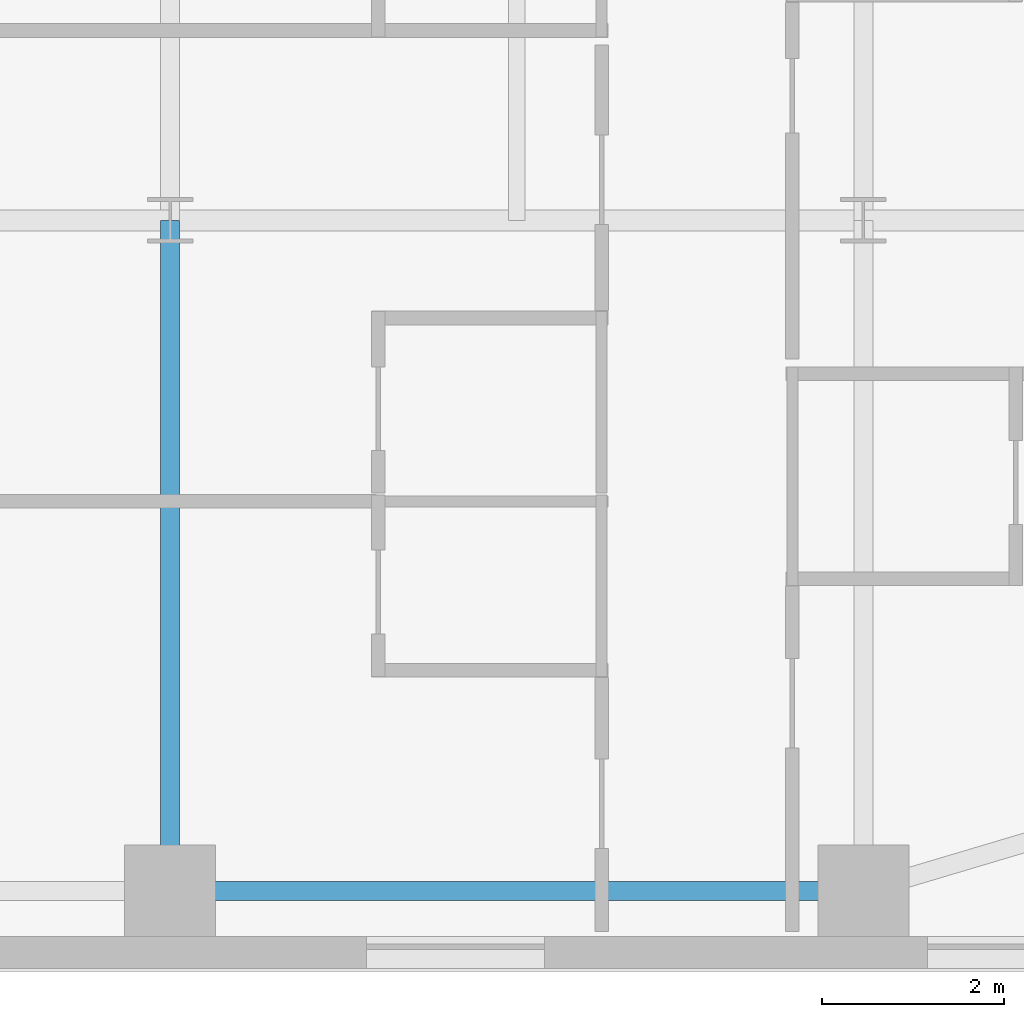
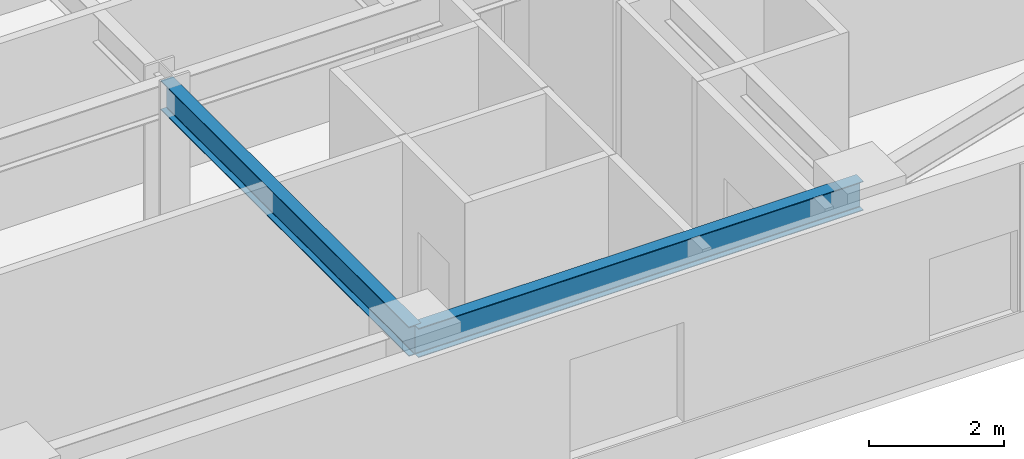
# One storey, part 8 of 25: 2 beams.
"""IFC4 building model written with IfcOpenShell, lengths in metres."""

from ifc_helpers import new_model, si_unit, direction, frame, origin, origin_2d, place, context, subcontext, project, spatial, i_section, extrude, source, transform, mapped, material, material_profile, profile_set, type_object, type_shapes, element, save


model = new_model("IFC4")

# Units and contexts
model_context = context("Model", 3, precision=1e-05, world=origin(), true_north=direction((0.0, 1.0)))
body_context = subcontext(model_context, "Body", "Model", "MODEL_VIEW")
ifc_project = project(units=[si_unit("LENGTHUNIT", "METRE"), si_unit("AREAUNIT", "SQUARE_METRE"), si_unit("VOLUMEUNIT", "CUBIC_METRE"), si_unit("PLANEANGLEUNIT", "RADIAN"), si_unit("MASSUNIT", "GRAM", prefix="KILO")], contexts=[model_context])

# Site, building, storey
site_placement = place(None, origin())
site = spatial("IfcSite", under=ifc_project, at=site_placement, CompositionType="ELEMENT")
building_placement = place(site_placement, origin())
building = spatial("IfcBuilding", under=site, at=building_placement, Name="Tolvann Quenvar Hotel", CompositionType="ELEMENT")
storey_placement = place(building_placement, frame((0.0, 0.0, 46.199951171875)))
storey = spatial("IfcBuildingStorey", under=building, at=storey_placement, Name="L10", CompositionType="ELEMENT", Elevation=46.199951171875)

# Beams
ifc_material = material(Name="Steel Grade 350", Category="steel")
ifc_material_profile_1 = material_profile(ifc_material, i_section(OverallWidth=0.208984375, OverallDepth=0.528076171875, WebThickness=0.009521484375, FlangeThickness=0.01318359375, FilletRadius=0.013916015625, at=origin_2d()), Name="530UB82")
ifc_profile_set_1 = profile_set([ifc_material_profile_1], Name="Steel Grade 350")
beam_type_1 = type_object("IfcBeamType", Name="BM_SPAND_530UB82", PredefinedType="SPANDREL", material=ifc_profile_set_1)
shared_shape_1 = source(origin(), body_context, "Body", "SweptSolid", [
    extrude(i_section(OverallWidth=0.208984375, OverallDepth=0.528076171875, WebThickness=0.009521484375, FlangeThickness=0.01318359375, FilletRadius=0.013916015625, at=origin_2d()), origin(), (0.0, 0.0, 1.0), 7.599853515625),
])
type_shapes(beam_type_1, [shared_shape_1])
beam_1_placement = place(storey_placement, frame((41.800048828125, 0.85009765625, 3.10595703125), z_axis=(1.0, 0.0, 0.0), x_axis=(0.0, 1.0, 0.0)))
element("IfcBeam", 1, at=beam_1_placement, inside=storey, type_object=beam_type_1, Name="BM-L10-EW-2-H2-I2", PredefinedType="SPANDREL", context=body_context, shape_type="MappedRepresentation", body=[
    mapped(shared_shape_1, transform((0.0, 0.0, 0.0), x_axis=(1.0, 0.0, 0.0), y_axis=(0.0, 1.0, 0.0), z_axis=(0.0, 0.0, 1.0), scale=1.0)),
])
ifc_material_profile_2 = material_profile(ifc_material, i_section(OverallWidth=0.208984375, OverallDepth=0.532958984375, WebThickness=0.01025390625, FlangeThickness=0.015625, FilletRadius=0.013916015625, at=origin_2d()), Name="530UB92")
ifc_profile_set_2 = profile_set([ifc_material_profile_2], Name="Steel Grade 350")
beam_type_2 = type_object("IfcBeamType", Name="BM_GIRD_530UB92", PredefinedType="BEAM", material=ifc_profile_set_2)
shared_shape_2 = source(origin(), body_context, "Body", "SweptSolid", [
    extrude(i_section(OverallWidth=0.208984375, OverallDepth=0.532958984375, WebThickness=0.01025390625, FlangeThickness=0.015625, FilletRadius=0.013916015625, at=origin_2d()), origin(), (0.0, 0.0, 1.0), 7.349853515625),
])
type_shapes(beam_type_2, [shared_shape_2])
beam_2_placement = place(storey_placement, frame((41.800048828125, 0.85009765625, 3.103515625), z_axis=(0.0, 1.0, 0.0), x_axis=(-1.0, 0.0, 0.0)))
element("IfcBeam", 2, at=beam_2_placement, inside=storey, type_object=beam_type_2, Name="BM-L10-NS-H2-H3", PredefinedType="BEAM", context=body_context, shape_type="MappedRepresentation", body=[
    mapped(shared_shape_2, transform((0.0, 0.0, 0.0), x_axis=(1.0, 0.0, 0.0), y_axis=(0.0, 1.0, 0.0), z_axis=(0.0, 0.0, 1.0), scale=1.0)),
])

save(model, "model.ifc")
